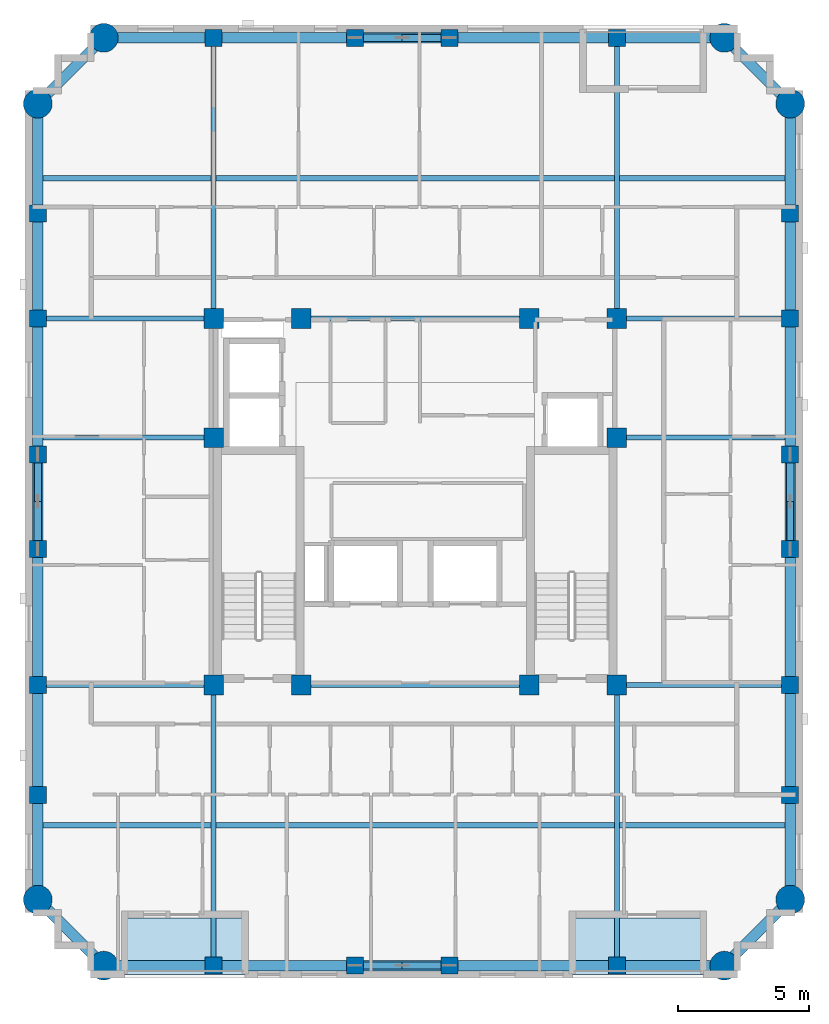
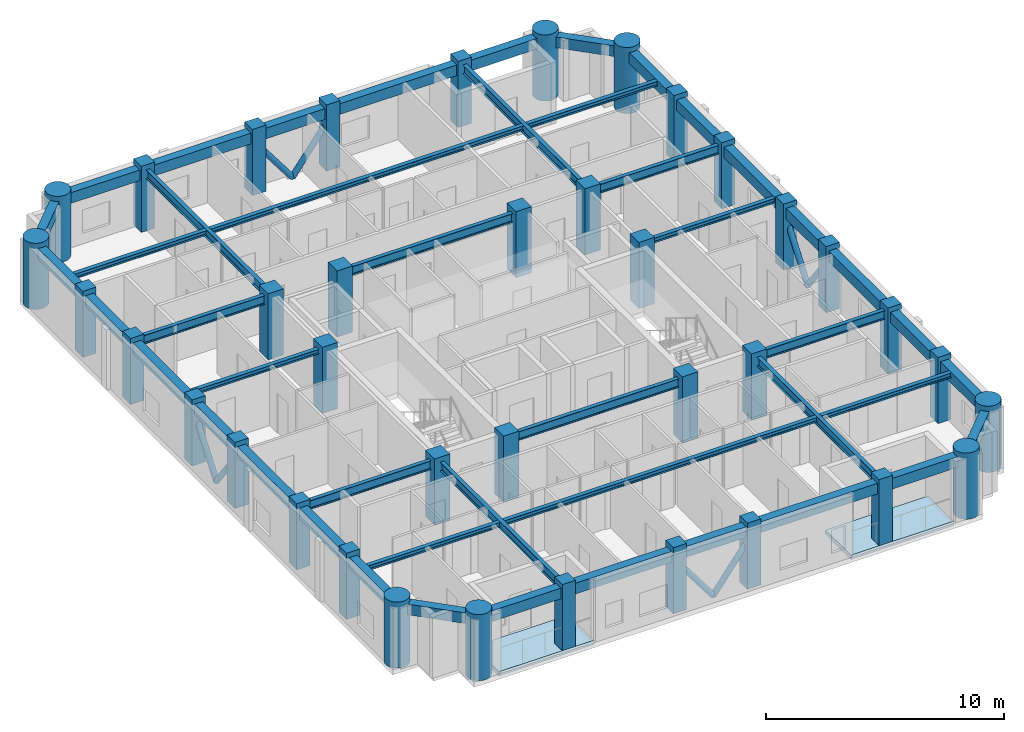
# One storey, part 1 of 11: 46 beams, 38 columns, 8 members, 2 slabs.
"""IFC4 building model written with IfcOpenShell, lengths in metres."""

from ifc_helpers import new_model, si_unit, derived_unit, direction, frame, origin, origin_2d, place, context, subcontext, project, spatial, polyline, rectangle, circle, hollow_circle, i_section, outline, extrude, material, layer, layer_set, material_profile, profile_set, type_object, element, save


model = new_model("IFC4")

# Units and contexts
model_context = context("Model", 3, precision=1e-05, world=origin(), true_north=direction((0.0, 1.0)))
body_context = subcontext(model_context, "Body", "Model", "MODEL_VIEW")
ifc_project = project(units=[si_unit("LENGTHUNIT", "METRE"), si_unit("AREAUNIT", "SQUARE_METRE"), si_unit("VOLUMEUNIT", "CUBIC_METRE"), si_unit("PLANEANGLEUNIT", "RADIAN"), si_unit("MASSUNIT", "GRAM", prefix="KILO"), derived_unit("THERMALTRANSMITTANCEUNIT", [(si_unit("MASSUNIT", "GRAM", prefix="KILO"), 1), (si_unit("TIMEUNIT", "SECOND"), -3), (si_unit("THERMODYNAMICTEMPERATUREUNIT", "KELVIN"), -1)])], contexts=[model_context])

# Site, building, storey
site_placement = place(None, origin())
site = spatial("IfcSite", under=ifc_project, at=site_placement, CompositionType="ELEMENT")
building_placement = place(site_placement, origin())
building = spatial("IfcBuilding", under=site, at=building_placement, Name="Korrvale Station Residences", CompositionType="ELEMENT")
storey_placement = place(building_placement, frame((0.0, 0.0, 224.10009765625)))
storey = spatial("IfcBuildingStorey", under=building, at=storey_placement, Name="L65", CompositionType="ELEMENT", Elevation=224.10009765625)

# Columns
ifc_material_1 = material(Name="Concrete C50/60", Category="concrete")
ifc_material_profile_1 = material_profile(ifc_material_1, rectangle(XDim=0.64990234375, YDim=0.64990234375, at=origin_2d()), Name="RC650x650")
ifc_profile_set_1 = profile_set([ifc_material_profile_1], Name="Concrete C50/60")
column_type_1 = type_object("IfcColumnType", Name="COL-C-RC650x650-C5060", PredefinedType="COLUMN", material=ifc_profile_set_1)
for number, where, z_axis, x_axis, name in (
    (1, (17.800048828125, 4.280029296875, 0.0), (0.0, 0.0, 1.0), (1.0, 0.0, 0.0), "L65 Bundled-Tube South Column 02"),
    (2, (23.199951171875, 4.280029296875, 0.0), (0.0, 0.0, 1.0), (1.0, 0.0, 0.0), "L65 Bundled-Tube South Column 03"),
    (3, (26.800048828125, 4.280029296875, 0.0), (0.0, 0.0, 1.0), (1.0, 0.0, 0.0), "L65 Bundled-Tube South Column 04"),
    (4, (33.199951171875, 4.280029296875, 0.0), (0.0, 0.0, 1.0), (1.0, 0.0, 0.0), "L65 Bundled-Tube South Column 05"),
    (5, (17.800048828125, 39.719970703125, 0.0), (0.0, 0.0, 1.0), (1.0, 0.0, 0.0), "L65 Bundled-Tube North Column 08"),
    (6, (23.199951171875, 39.719970703125, 0.0), (0.0, 0.0, 1.0), (1.0, 0.0, 0.0), "L65 Bundled-Tube North Column 09"),
    (7, (26.800048828125, 39.719970703125, 0.0), (0.0, 0.0, 1.0), (1.0, 0.0, 0.0), "L65 Bundled-Tube North Column 10"),
    (8, (33.199951171875, 39.719970703125, 0.0), (0.0, 0.0, 1.0), (1.0, 0.0, 0.0), "L65 Bundled-Tube North Column 11"),
    (9, (11.080078125, 10.800048828125, 0.0), (0.0, 0.0, 1.0), (1.0, 0.0, 0.0), "L65 Bundled-Tube West Column 14"),
    (10, (11.080078125, 15.0, 0.0), (0.0, 0.0, 1.0), (1.0, 0.0, 0.0), "L65 Bundled-Tube West Column 15"),
    (11, (11.080078125, 20.199951171875, 0.0), (0.0, 0.0, 1.0), (1.0, 0.0, 0.0), "L65 Bundled-Tube West Column 16"),
    (12, (11.080078125, 23.800048828125, 0.0), (0.0, 0.0, 1.0), (1.0, 0.0, 0.0), "L65 Bundled-Tube West Column 17"),
    (13, (11.080078125, 29.0, 0.0), (0.0, 0.0, 1.0), (1.0, 0.0, 0.0), "L65 Bundled-Tube West Column 18"),
    (14, (11.080078125, 33.0, 0.0), (0.0, 0.0, 1.0), (1.0, 0.0, 0.0), "L65 Bundled-Tube West Column 19"),
    (15, (39.820068359375, 10.800048828125, 0.0), (0.0, 0.0, 1.0), (1.0, 0.0, 0.0), "L65 Bundled-Tube East Column 22"),
    (16, (39.820068359375, 15.0, 0.0), (0.0, 0.0, 1.0), (1.0, 0.0, 0.0), "L65 Bundled-Tube East Column 23"),
    (17, (39.820068359375, 20.199951171875, 0.0), (0.0, 0.0, 1.0), (1.0, 0.0, 0.0), "L65 Bundled-Tube East Column 24"),
    (18, (39.820068359375, 23.800048828125, 0.0), (0.0, 0.0, 1.0), (1.0, 0.0, 0.0), "L65 Bundled-Tube East Column 25"),
    (19, (39.820068359375, 29.0, 0.0), (0.0, 0.0, 1.0), (1.0, 0.0, 0.0), "L65 Bundled-Tube East Column 26"),
    (20, (39.820068359375, 33.0, 0.0), (0.0, 0.0, 1.0), (1.0, 0.0, 0.0), "L65 Bundled-Tube East Column 27"),
):
    element("IfcColumn", number, at=place(storey_placement, frame(where, z_axis=z_axis, x_axis=x_axis)), inside=storey, type_object=column_type_1, Name=name, PredefinedType="COLUMN", context=body_context, shape_type="SweptSolid", body=[
        extrude(rectangle(XDim=0.64990234375, YDim=0.64990234375, at=origin_2d()), origin(), (0.0, 0.0, 1.0), 3.39990234375),
    ])
ifc_material_profile_2 = material_profile(ifc_material_1, rectangle(XDim=0.75, YDim=0.75, at=origin_2d()), Name="RC750x750")
ifc_profile_set_2 = profile_set([ifc_material_profile_2], Name="Concrete C50/60")
column_type_2 = type_object("IfcColumnType", Name="COL-C-RC750x750-C5060", PredefinedType="COLUMN", material=ifc_profile_set_2)
for number, where, z_axis, x_axis, name in (
    (21, (17.800048828125, 15.0, 0.0), (0.0, 0.0, 1.0), (1.0, 0.0, 0.0), "L65 Core Column 01"),
    (22, (21.14990234375, 15.0, 0.0), (0.0, 0.0, 1.0), (1.0, 0.0, 0.0), "L65 Core Column 02"),
    (23, (29.85009765625, 15.0, 0.0), (0.0, 0.0, 1.0), (1.0, 0.0, 0.0), "L65 Core Column 03"),
    (24, (33.199951171875, 15.0, 0.0), (0.0, 0.0, 1.0), (1.0, 0.0, 0.0), "L65 Core Column 04"),
    (25, (17.800048828125, 29.0, 0.0), (0.0, 0.0, 1.0), (1.0, 0.0, 0.0), "L65 Core Column 05"),
    (26, (21.14990234375, 29.0, 0.0), (0.0, 0.0, 1.0), (1.0, 0.0, 0.0), "L65 Core Column 06"),
    (27, (29.85009765625, 29.0, 0.0), (0.0, 0.0, 1.0), (1.0, 0.0, 0.0), "L65 Core Column 07"),
    (28, (33.199951171875, 29.0, 0.0), (0.0, 0.0, 1.0), (1.0, 0.0, 0.0), "L65 Core Column 08"),
    (29, (17.800048828125, 24.449951171875, 0.0), (0.0, 0.0, 1.0), (1.0, 0.0, 0.0), "L65 Core Column 09"),
    (30, (33.199951171875, 24.449951171875, 0.0), (0.0, 0.0, 1.0), (1.0, 0.0, 0.0), "L65 Core Column 10"),
):
    element("IfcColumn", number, at=place(storey_placement, frame(where, z_axis=z_axis, x_axis=x_axis)), inside=storey, type_object=column_type_2, Name=name, PredefinedType="COLUMN", context=body_context, shape_type="SweptSolid", body=[
        extrude(rectangle(XDim=0.75, YDim=0.75, at=origin_2d()), origin(), (0.0, 0.0, 1.0), 3.39990234375),
    ])
ifc_material_profile_3 = material_profile(ifc_material_1, circle(Radius=0.550048828125, at=origin_2d()), Name="RCC1100")
ifc_profile_set_3 = profile_set([ifc_material_profile_3], Name="Concrete C50/60")
column_type_3 = type_object("IfcColumnType", Name="COL-C-RCC1100-C5060", PredefinedType="COLUMN", material=ifc_profile_set_3)
for number, where, z_axis, x_axis, name in (
    (31, (13.60009765625, 4.280029296875, 0.0), (0.0, 0.0, 1.0), (1.0, 0.0, 0.0), "L65 Bundled-Tube South Column 01"),
    (32, (37.300048828125, 4.280029296875, 0.0), (0.0, 0.0, 1.0), (1.0, 0.0, 0.0), "L65 Bundled-Tube South Column 06"),
    (33, (13.60009765625, 39.719970703125, 0.0), (0.0, 0.0, 1.0), (1.0, 0.0, 0.0), "L65 Bundled-Tube North Column 07"),
    (34, (37.300048828125, 39.719970703125, 0.0), (0.0, 0.0, 1.0), (1.0, 0.0, 0.0), "L65 Bundled-Tube North Column 12"),
    (35, (11.080078125, 6.800048828125, 0.0), (0.0, 0.0, 1.0), (1.0, 0.0, 0.0), "L65 Bundled-Tube West Column 13"),
    (36, (11.080078125, 37.199951171875, 0.0), (0.0, 0.0, 1.0), (1.0, 0.0, 0.0), "L65 Bundled-Tube West Column 20"),
    (37, (39.820068359375, 6.800048828125, 0.0), (0.0, 0.0, 1.0), (1.0, 0.0, 0.0), "L65 Bundled-Tube East Column 21"),
    (38, (39.820068359375, 37.199951171875, 0.0), (0.0, 0.0, 1.0), (1.0, 0.0, 0.0), "L65 Bundled-Tube East Column 28"),
):
    element("IfcColumn", number, at=place(storey_placement, frame(where, z_axis=z_axis, x_axis=x_axis)), inside=storey, type_object=column_type_3, Name=name, PredefinedType="COLUMN", context=body_context, shape_type="SweptSolid", body=[
        extrude(circle(Radius=0.550048828125, at=origin_2d()), origin(), (0.0, 0.0, 1.0), 3.39990234375),
    ])

# Beams
ifc_material_2 = material(Name="Steel S355", Category="steel")
ifc_material_profile_4 = material_profile(ifc_material_2, i_section(OverallWidth=0.18994140625, OverallDepth=0.45703125, WebThickness=0.009033203125, FlangeThickness=0.014404296875, FilletRadius=0.01611328125, at=origin_2d()), Name="W460x74")
ifc_profile_set_4 = profile_set([ifc_material_profile_4], Name="Steel S355")
beam_type_1 = type_object("IfcBeamType", Name="BM-BM-W460x74-S355", PredefinedType="BEAM", material=ifc_profile_set_4)
for number, where, z_axis, x_axis, name in (
    (39, (17.800048828125, 4.280029296875, 2.911376953125), (0.0, 1.0, 0.0), (-1.0, 0.0, 0.0), "L65 Bundled-Tube Web Girder 01"),
    (40, (33.199951171875, 4.280029296875, 2.911376953125), (0.0, 1.0, 0.0), (-1.0, 0.0, 0.0), "L65 Bundled-Tube Web Girder 02"),
    (41, (17.800048828125, 29.0, 2.911376953125), (0.0, 1.0, 0.0), (-1.0, 0.0, 0.0), "L65 Bundled-Tube Web Girder 03"),
    (42, (33.199951171875, 29.0, 2.911376953125), (0.0, 1.0, 0.0), (-1.0, 0.0, 0.0), "L65 Bundled-Tube Web Girder 04"),
):
    element("IfcBeam", number, at=place(storey_placement, frame(where, z_axis=z_axis, x_axis=x_axis)), inside=storey, type_object=beam_type_1, Name=name, PredefinedType="BEAM", context=body_context, shape_type="SweptSolid", body=[
        extrude(i_section(OverallWidth=0.18994140625, OverallDepth=0.45703125, WebThickness=0.009033203125, FlangeThickness=0.014404296875, FilletRadius=0.01611328125, at=origin_2d()), origin(), (0.0, 0.0, 1.0), 10.719970703125),
    ])
beam_1_placement = place(storey_placement, frame((11.080078125, 15.0, 2.911376953125), z_axis=(1.0, 0.0, 0.0), x_axis=(0.0, 1.0, 0.0)))
element("IfcBeam", 43, at=beam_1_placement, inside=storey, type_object=beam_type_1, Name="L65 Bundled-Tube Web Girder 05", PredefinedType="BEAM", context=body_context, shape_type="SweptSolid", body=[
    extrude(i_section(OverallWidth=0.18994140625, OverallDepth=0.45703125, WebThickness=0.009033203125, FlangeThickness=0.014404296875, FilletRadius=0.01611328125, at=origin_2d()), origin(), (0.0, 0.0, 1.0), 6.719970703125),
])
beam_2_placement = place(storey_placement, frame((33.199951171875, 15.0, 2.911376953125), z_axis=(1.0, 0.0, 0.0), x_axis=(0.0, 1.0, 0.0)))
element("IfcBeam", 44, at=beam_2_placement, inside=storey, type_object=beam_type_1, Name="L65 Bundled-Tube Web Girder 06", PredefinedType="BEAM", context=body_context, shape_type="SweptSolid", body=[
    extrude(i_section(OverallWidth=0.18994140625, OverallDepth=0.45703125, WebThickness=0.009033203125, FlangeThickness=0.014404296875, FilletRadius=0.01611328125, at=origin_2d()), origin(), (0.0, 0.0, 1.0), 6.6201171875),
])
beam_3_placement = place(storey_placement, frame((11.080078125, 29.0, 2.911376953125), z_axis=(1.0, 0.0, 0.0), x_axis=(0.0, 1.0, 0.0)))
element("IfcBeam", 45, at=beam_3_placement, inside=storey, type_object=beam_type_1, Name="L65 Bundled-Tube Web Girder 07", PredefinedType="BEAM", context=body_context, shape_type="SweptSolid", body=[
    extrude(i_section(OverallWidth=0.18994140625, OverallDepth=0.45703125, WebThickness=0.009033203125, FlangeThickness=0.014404296875, FilletRadius=0.01611328125, at=origin_2d()), origin(), (0.0, 0.0, 1.0), 6.719970703125),
])
beam_4_placement = place(storey_placement, frame((33.199951171875, 29.0, 2.911376953125), z_axis=(1.0, 0.0, 0.0), x_axis=(0.0, 1.0, 0.0)))
element("IfcBeam", 46, at=beam_4_placement, inside=storey, type_object=beam_type_1, Name="L65 Bundled-Tube Web Girder 08", PredefinedType="BEAM", context=body_context, shape_type="SweptSolid", body=[
    extrude(i_section(OverallWidth=0.18994140625, OverallDepth=0.45703125, WebThickness=0.009033203125, FlangeThickness=0.014404296875, FilletRadius=0.01611328125, at=origin_2d()), origin(), (0.0, 0.0, 1.0), 6.6201171875),
])
for number, where, z_axis, x_axis, name in (
    (47, (21.14990234375, 15.0, 2.911376953125), (1.0, 0.0, 0.0), (0.0, 1.0, 0.0), "L65 Bundled-Tube Web Girder 09"),
    (48, (21.14990234375, 29.0, 2.911376953125), (1.0, 0.0, 0.0), (0.0, 1.0, 0.0), "L65 Bundled-Tube Web Girder 10"),
):
    element("IfcBeam", number, at=place(storey_placement, frame(where, z_axis=z_axis, x_axis=x_axis)), inside=storey, type_object=beam_type_1, Name=name, PredefinedType="BEAM", context=body_context, shape_type="SweptSolid", body=[
        extrude(i_section(OverallWidth=0.18994140625, OverallDepth=0.45703125, WebThickness=0.009033203125, FlangeThickness=0.014404296875, FilletRadius=0.01611328125, at=origin_2d()), origin(), (0.0, 0.0, 1.0), 8.7001953125),
    ])
ifc_material_profile_5 = material_profile(ifc_material_2, i_section(OverallWidth=0.201904296875, OverallDepth=0.2470703125, WebThickness=0.00732421875, FlangeThickness=0.010986328125, FilletRadius=0.012939453125, at=origin_2d()), Name="W250x49")
ifc_profile_set_5 = profile_set([ifc_material_profile_5], Name="Steel S355")
beam_type_2 = type_object("IfcBeamType", Name="BM-JST-W250x49-S355", PredefinedType="JOIST", material=ifc_profile_set_5)
beam_5_placement = place(storey_placement, frame((11.280029296875, 9.639892578125, 3.016357421875), z_axis=(1.0, 0.0, 0.0), x_axis=(0.0, 1.0, 0.0)))
element("IfcBeam", 49, at=beam_5_placement, inside=storey, type_object=beam_type_2, Name="L65 Floor Framing Joist 01", PredefinedType="JOIST", context=body_context, shape_type="SweptSolid", body=[
    extrude(i_section(OverallWidth=0.201904296875, OverallDepth=0.2470703125, WebThickness=0.00732421875, FlangeThickness=0.010986328125, FilletRadius=0.012939453125, at=origin_2d()), origin(), (0.0, 0.0, 1.0), 6.425048828125),
])
beam_6_placement = place(storey_placement, frame((17.89501953125, 9.639892578125, 3.016357421875), z_axis=(1.0, 0.0, 0.0), x_axis=(0.0, 1.0, 0.0)))
element("IfcBeam", 50, at=beam_6_placement, inside=storey, type_object=beam_type_2, Name="L65 Floor Framing Joist 02", PredefinedType="JOIST", context=body_context, shape_type="SweptSolid", body=[
    extrude(i_section(OverallWidth=0.201904296875, OverallDepth=0.2470703125, WebThickness=0.00732421875, FlangeThickness=0.010986328125, FilletRadius=0.012939453125, at=origin_2d()), origin(), (0.0, 0.0, 1.0), 15.2099609375),
])
beam_7_placement = place(storey_placement, frame((33.294921875, 9.639892578125, 3.016357421875), z_axis=(1.0, 0.0, 0.0), x_axis=(0.0, 1.0, 0.0)))
element("IfcBeam", 51, at=beam_7_placement, inside=storey, type_object=beam_type_2, Name="L65 Floor Framing Joist 03", PredefinedType="JOIST", context=body_context, shape_type="SweptSolid", body=[
    extrude(i_section(OverallWidth=0.201904296875, OverallDepth=0.2470703125, WebThickness=0.00732421875, FlangeThickness=0.010986328125, FilletRadius=0.012939453125, at=origin_2d()), origin(), (0.0, 0.0, 1.0), 6.3251953125),
])
beam_8_placement = place(storey_placement, frame((11.280029296875, 34.360107421875, 3.016357421875), z_axis=(1.0, 0.0, 0.0), x_axis=(0.0, 1.0, 0.0)))
element("IfcBeam", 52, at=beam_8_placement, inside=storey, type_object=beam_type_2, Name="L65 Floor Framing Joist 04", PredefinedType="JOIST", context=body_context, shape_type="SweptSolid", body=[
    extrude(i_section(OverallWidth=0.201904296875, OverallDepth=0.2470703125, WebThickness=0.00732421875, FlangeThickness=0.010986328125, FilletRadius=0.012939453125, at=origin_2d()), origin(), (0.0, 0.0, 1.0), 6.425048828125),
])
beam_9_placement = place(storey_placement, frame((17.89501953125, 34.360107421875, 3.016357421875), z_axis=(1.0, 0.0, 0.0), x_axis=(0.0, 1.0, 0.0)))
element("IfcBeam", 53, at=beam_9_placement, inside=storey, type_object=beam_type_2, Name="L65 Floor Framing Joist 05", PredefinedType="JOIST", context=body_context, shape_type="SweptSolid", body=[
    extrude(i_section(OverallWidth=0.201904296875, OverallDepth=0.2470703125, WebThickness=0.00732421875, FlangeThickness=0.010986328125, FilletRadius=0.012939453125, at=origin_2d()), origin(), (0.0, 0.0, 1.0), 15.2099609375),
])
beam_10_placement = place(storey_placement, frame((33.294921875, 34.360107421875, 3.016357421875), z_axis=(1.0, 0.0, 0.0), x_axis=(0.0, 1.0, 0.0)))
element("IfcBeam", 54, at=beam_10_placement, inside=storey, type_object=beam_type_2, Name="L65 Floor Framing Joist 06", PredefinedType="JOIST", context=body_context, shape_type="SweptSolid", body=[
    extrude(i_section(OverallWidth=0.201904296875, OverallDepth=0.2470703125, WebThickness=0.00732421875, FlangeThickness=0.010986328125, FilletRadius=0.012939453125, at=origin_2d()), origin(), (0.0, 0.0, 1.0), 6.3251953125),
])
beam_11_placement = place(storey_placement, frame((33.199951171875, 24.449951171875, 3.016357421875), z_axis=(1.0, 0.0, 0.0), x_axis=(0.0, 1.0, 0.0)))
element("IfcBeam", 55, at=beam_11_placement, inside=storey, type_object=beam_type_2, Name="L65 Floor Framing Joist 07", PredefinedType="JOIST", context=body_context, shape_type="SweptSolid", body=[
    extrude(i_section(OverallWidth=0.201904296875, OverallDepth=0.2470703125, WebThickness=0.00732421875, FlangeThickness=0.010986328125, FilletRadius=0.012939453125, at=origin_2d()), origin(), (0.0, 0.0, 1.0), 6.420166015625),
])
beam_12_placement = place(storey_placement, frame((11.280029296875, 24.449951171875, 3.016357421875), z_axis=(1.0, 0.0, 0.0), x_axis=(0.0, 1.0, 0.0)))
element("IfcBeam", 56, at=beam_12_placement, inside=storey, type_object=beam_type_2, Name="L65 Floor Framing Joist 08", PredefinedType="JOIST", context=body_context, shape_type="SweptSolid", body=[
    extrude(i_section(OverallWidth=0.201904296875, OverallDepth=0.2470703125, WebThickness=0.00732421875, FlangeThickness=0.010986328125, FilletRadius=0.012939453125, at=origin_2d()), origin(), (0.0, 0.0, 1.0), 6.52001953125),
])
ifc_material_profile_6 = material_profile(ifc_material_1, rectangle(XDim=0.39990234375, YDim=0.550048828125, at=origin_2d()), Name="RCB400x550")
ifc_profile_set_6 = profile_set([ifc_material_profile_6], Name="Concrete C50/60")
beam_type_3 = type_object("IfcBeamType", Name="BM-SPB-RCB400x550-C5060", PredefinedType="SPANDREL", material=ifc_profile_set_6)
beam_13_placement = place(storey_placement, frame((13.60009765625, 4.280029296875, 2.864990234375), z_axis=(1.0, 0.0, 0.0), x_axis=(0.0, 1.0, 0.0)))
element("IfcBeam", 57, at=beam_13_placement, inside=storey, type_object=beam_type_3, Name="L65 South Tube Spandrel 01", PredefinedType="SPANDREL", context=body_context, shape_type="SweptSolid", body=[
    extrude(rectangle(XDim=0.39990234375, YDim=0.550048828125, at=origin_2d()), origin(), (0.0, 0.0, 1.0), 4.199951171875),
])
beam_14_placement = place(storey_placement, frame((17.800048828125, 4.280029296875, 2.864990234375), z_axis=(1.0, 0.0, 0.0), x_axis=(0.0, 1.0, 0.0)))
element("IfcBeam", 58, at=beam_14_placement, inside=storey, type_object=beam_type_3, Name="L65 South Tube Spandrel 02", PredefinedType="SPANDREL", context=body_context, shape_type="SweptSolid", body=[
    extrude(rectangle(XDim=0.39990234375, YDim=0.550048828125, at=origin_2d()), origin(), (0.0, 0.0, 1.0), 5.39990234375),
])
beam_15_placement = place(storey_placement, frame((23.199951171875, 4.280029296875, 2.864990234375), z_axis=(1.0, 0.0, 0.0), x_axis=(0.0, 1.0, 0.0)))
element("IfcBeam", 59, at=beam_15_placement, inside=storey, type_object=beam_type_3, Name="L65 South Tube Spandrel 03", PredefinedType="SPANDREL", context=body_context, shape_type="SweptSolid", body=[
    extrude(rectangle(XDim=0.39990234375, YDim=0.550048828125, at=origin_2d()), origin(), (0.0, 0.0, 1.0), 3.60009765625),
])
beam_16_placement = place(storey_placement, frame((26.800048828125, 4.280029296875, 2.864990234375), z_axis=(1.0, 0.0, 0.0), x_axis=(0.0, 1.0, 0.0)))
element("IfcBeam", 60, at=beam_16_placement, inside=storey, type_object=beam_type_3, Name="L65 South Tube Spandrel 04", PredefinedType="SPANDREL", context=body_context, shape_type="SweptSolid", body=[
    extrude(rectangle(XDim=0.39990234375, YDim=0.550048828125, at=origin_2d()), origin(), (0.0, 0.0, 1.0), 6.39990234375),
])
beam_17_placement = place(storey_placement, frame((33.199951171875, 4.280029296875, 2.864990234375), z_axis=(1.0, 0.0, 0.0), x_axis=(0.0, 1.0, 0.0)))
element("IfcBeam", 61, at=beam_17_placement, inside=storey, type_object=beam_type_3, Name="L65 South Tube Spandrel 05", PredefinedType="SPANDREL", context=body_context, shape_type="SweptSolid", body=[
    extrude(rectangle(XDim=0.39990234375, YDim=0.550048828125, at=origin_2d()), origin(), (0.0, 0.0, 1.0), 4.10009765625),
])
beam_18_placement = place(storey_placement, frame((13.60009765625, 39.719970703125, 2.864990234375), z_axis=(1.0, 0.0, 0.0), x_axis=(0.0, 1.0, 0.0)))
element("IfcBeam", 62, at=beam_18_placement, inside=storey, type_object=beam_type_3, Name="L65 North Tube Spandrel 06", PredefinedType="SPANDREL", context=body_context, shape_type="SweptSolid", body=[
    extrude(rectangle(XDim=0.39990234375, YDim=0.550048828125, at=origin_2d()), origin(), (0.0, 0.0, 1.0), 4.199951171875),
])
beam_19_placement = place(storey_placement, frame((17.800048828125, 39.719970703125, 2.864990234375), z_axis=(1.0, 0.0, 0.0), x_axis=(0.0, 1.0, 0.0)))
element("IfcBeam", 63, at=beam_19_placement, inside=storey, type_object=beam_type_3, Name="L65 North Tube Spandrel 07", PredefinedType="SPANDREL", context=body_context, shape_type="SweptSolid", body=[
    extrude(rectangle(XDim=0.39990234375, YDim=0.550048828125, at=origin_2d()), origin(), (0.0, 0.0, 1.0), 5.39990234375),
])
beam_20_placement = place(storey_placement, frame((23.199951171875, 39.719970703125, 2.864990234375), z_axis=(1.0, 0.0, 0.0), x_axis=(0.0, 1.0, 0.0)))
element("IfcBeam", 64, at=beam_20_placement, inside=storey, type_object=beam_type_3, Name="L65 North Tube Spandrel 08", PredefinedType="SPANDREL", context=body_context, shape_type="SweptSolid", body=[
    extrude(rectangle(XDim=0.39990234375, YDim=0.550048828125, at=origin_2d()), origin(), (0.0, 0.0, 1.0), 3.60009765625),
])
beam_21_placement = place(storey_placement, frame((26.800048828125, 39.719970703125, 2.864990234375), z_axis=(1.0, 0.0, 0.0), x_axis=(0.0, 1.0, 0.0)))
element("IfcBeam", 65, at=beam_21_placement, inside=storey, type_object=beam_type_3, Name="L65 North Tube Spandrel 09", PredefinedType="SPANDREL", context=body_context, shape_type="SweptSolid", body=[
    extrude(rectangle(XDim=0.39990234375, YDim=0.550048828125, at=origin_2d()), origin(), (0.0, 0.0, 1.0), 6.39990234375),
])
beam_22_placement = place(storey_placement, frame((33.199951171875, 39.719970703125, 2.864990234375), z_axis=(1.0, 0.0, 0.0), x_axis=(0.0, 1.0, 0.0)))
element("IfcBeam", 66, at=beam_22_placement, inside=storey, type_object=beam_type_3, Name="L65 North Tube Spandrel 10", PredefinedType="SPANDREL", context=body_context, shape_type="SweptSolid", body=[
    extrude(rectangle(XDim=0.39990234375, YDim=0.550048828125, at=origin_2d()), origin(), (0.0, 0.0, 1.0), 4.10009765625),
])
beam_23_placement = place(storey_placement, frame((11.080078125, 6.800048828125, 2.864990234375), z_axis=(0.0, 1.0, 0.0), x_axis=(-1.0, 0.0, 0.0)))
element("IfcBeam", 67, at=beam_23_placement, inside=storey, type_object=beam_type_3, Name="L65 West Tube Spandrel 11", PredefinedType="SPANDREL", context=body_context, shape_type="SweptSolid", body=[
    extrude(rectangle(XDim=0.39990234375, YDim=0.550048828125, at=origin_2d()), origin(), (0.0, 0.0, 1.0), 4.0),
])
beam_24_placement = place(storey_placement, frame((11.080078125, 10.800048828125, 2.864990234375), z_axis=(0.0, 1.0, 0.0), x_axis=(-1.0, 0.0, 0.0)))
element("IfcBeam", 68, at=beam_24_placement, inside=storey, type_object=beam_type_3, Name="L65 West Tube Spandrel 12", PredefinedType="SPANDREL", context=body_context, shape_type="SweptSolid", body=[
    extrude(rectangle(XDim=0.39990234375, YDim=0.550048828125, at=origin_2d()), origin(), (0.0, 0.0, 1.0), 4.199951171875),
])
beam_25_placement = place(storey_placement, frame((11.080078125, 15.0, 2.864990234375), z_axis=(0.0, 1.0, 0.0), x_axis=(-1.0, 0.0, 0.0)))
element("IfcBeam", 69, at=beam_25_placement, inside=storey, type_object=beam_type_3, Name="L65 West Tube Spandrel 13", PredefinedType="SPANDREL", context=body_context, shape_type="SweptSolid", body=[
    extrude(rectangle(XDim=0.39990234375, YDim=0.550048828125, at=origin_2d()), origin(), (0.0, 0.0, 1.0), 5.199951171875),
])
beam_26_placement = place(storey_placement, frame((11.080078125, 20.199951171875, 2.864990234375), z_axis=(0.0, 1.0, 0.0), x_axis=(-1.0, 0.0, 0.0)))
element("IfcBeam", 70, at=beam_26_placement, inside=storey, type_object=beam_type_3, Name="L65 West Tube Spandrel 14", PredefinedType="SPANDREL", context=body_context, shape_type="SweptSolid", body=[
    extrude(rectangle(XDim=0.39990234375, YDim=0.550048828125, at=origin_2d()), origin(), (0.0, 0.0, 1.0), 3.60009765625),
])
beam_27_placement = place(storey_placement, frame((11.080078125, 23.800048828125, 2.864990234375), z_axis=(0.0, 1.0, 0.0), x_axis=(-1.0, 0.0, 0.0)))
element("IfcBeam", 71, at=beam_27_placement, inside=storey, type_object=beam_type_3, Name="L65 West Tube Spandrel 15", PredefinedType="SPANDREL", context=body_context, shape_type="SweptSolid", body=[
    extrude(rectangle(XDim=0.39990234375, YDim=0.550048828125, at=origin_2d()), origin(), (0.0, 0.0, 1.0), 5.199951171875),
])
beam_28_placement = place(storey_placement, frame((11.080078125, 29.0, 2.864990234375), z_axis=(0.0, 1.0, 0.0), x_axis=(-1.0, 0.0, 0.0)))
element("IfcBeam", 72, at=beam_28_placement, inside=storey, type_object=beam_type_3, Name="L65 West Tube Spandrel 16", PredefinedType="SPANDREL", context=body_context, shape_type="SweptSolid", body=[
    extrude(rectangle(XDim=0.39990234375, YDim=0.550048828125, at=origin_2d()), origin(), (0.0, 0.0, 1.0), 4.0),
])
beam_29_placement = place(storey_placement, frame((11.080078125, 33.0, 2.864990234375), z_axis=(0.0, 1.0, 0.0), x_axis=(-1.0, 0.0, 0.0)))
element("IfcBeam", 73, at=beam_29_placement, inside=storey, type_object=beam_type_3, Name="L65 West Tube Spandrel 17", PredefinedType="SPANDREL", context=body_context, shape_type="SweptSolid", body=[
    extrude(rectangle(XDim=0.39990234375, YDim=0.550048828125, at=origin_2d()), origin(), (0.0, 0.0, 1.0), 4.199951171875),
])
beam_30_placement = place(storey_placement, frame((39.820068359375, 6.800048828125, 2.864990234375), z_axis=(0.0, 1.0, 0.0), x_axis=(-1.0, 0.0, 0.0)))
element("IfcBeam", 74, at=beam_30_placement, inside=storey, type_object=beam_type_3, Name="L65 East Tube Spandrel 18", PredefinedType="SPANDREL", context=body_context, shape_type="SweptSolid", body=[
    extrude(rectangle(XDim=0.39990234375, YDim=0.550048828125, at=origin_2d()), origin(), (0.0, 0.0, 1.0), 4.0),
])
beam_31_placement = place(storey_placement, frame((39.820068359375, 10.800048828125, 2.864990234375), z_axis=(0.0, 1.0, 0.0), x_axis=(-1.0, 0.0, 0.0)))
element("IfcBeam", 75, at=beam_31_placement, inside=storey, type_object=beam_type_3, Name="L65 East Tube Spandrel 19", PredefinedType="SPANDREL", context=body_context, shape_type="SweptSolid", body=[
    extrude(rectangle(XDim=0.39990234375, YDim=0.550048828125, at=origin_2d()), origin(), (0.0, 0.0, 1.0), 4.199951171875),
])
beam_32_placement = place(storey_placement, frame((39.820068359375, 15.0, 2.864990234375), z_axis=(0.0, 1.0, 0.0), x_axis=(-1.0, 0.0, 0.0)))
element("IfcBeam", 76, at=beam_32_placement, inside=storey, type_object=beam_type_3, Name="L65 East Tube Spandrel 20", PredefinedType="SPANDREL", context=body_context, shape_type="SweptSolid", body=[
    extrude(rectangle(XDim=0.39990234375, YDim=0.550048828125, at=origin_2d()), origin(), (0.0, 0.0, 1.0), 5.199951171875),
])
beam_33_placement = place(storey_placement, frame((39.820068359375, 20.199951171875, 2.864990234375), z_axis=(0.0, 1.0, 0.0), x_axis=(-1.0, 0.0, 0.0)))
element("IfcBeam", 77, at=beam_33_placement, inside=storey, type_object=beam_type_3, Name="L65 East Tube Spandrel 21", PredefinedType="SPANDREL", context=body_context, shape_type="SweptSolid", body=[
    extrude(rectangle(XDim=0.39990234375, YDim=0.550048828125, at=origin_2d()), origin(), (0.0, 0.0, 1.0), 3.60009765625),
])
beam_34_placement = place(storey_placement, frame((39.820068359375, 23.800048828125, 2.864990234375), z_axis=(0.0, 1.0, 0.0), x_axis=(-1.0, 0.0, 0.0)))
element("IfcBeam", 78, at=beam_34_placement, inside=storey, type_object=beam_type_3, Name="L65 East Tube Spandrel 22", PredefinedType="SPANDREL", context=body_context, shape_type="SweptSolid", body=[
    extrude(rectangle(XDim=0.39990234375, YDim=0.550048828125, at=origin_2d()), origin(), (0.0, 0.0, 1.0), 5.199951171875),
])
beam_35_placement = place(storey_placement, frame((39.820068359375, 29.0, 2.864990234375), z_axis=(0.0, 1.0, 0.0), x_axis=(-1.0, 0.0, 0.0)))
element("IfcBeam", 79, at=beam_35_placement, inside=storey, type_object=beam_type_3, Name="L65 East Tube Spandrel 23", PredefinedType="SPANDREL", context=body_context, shape_type="SweptSolid", body=[
    extrude(rectangle(XDim=0.39990234375, YDim=0.550048828125, at=origin_2d()), origin(), (0.0, 0.0, 1.0), 4.0),
])
beam_36_placement = place(storey_placement, frame((39.820068359375, 33.0, 2.864990234375), z_axis=(0.0, 1.0, 0.0), x_axis=(-1.0, 0.0, 0.0)))
element("IfcBeam", 80, at=beam_36_placement, inside=storey, type_object=beam_type_3, Name="L65 East Tube Spandrel 24", PredefinedType="SPANDREL", context=body_context, shape_type="SweptSolid", body=[
    extrude(rectangle(XDim=0.39990234375, YDim=0.550048828125, at=origin_2d()), origin(), (0.0, 0.0, 1.0), 4.199951171875),
])
for number, where, z_axis, x_axis, name in (
    (81, (13.60009765625, 4.280029296875, 2.864990234375), (-0.707106781187, 0.707106781187, 0.0), (-0.707106781187, -0.707106781187, 0.0), "L65 Serrated Corner Spandrel 25"),
    (82, (37.300048828125, 4.280029296875, 2.864990234375), (0.707106781187, 0.707106781187, 0.0), (-0.707106781187, 0.707106781187, 0.0), "L65 Serrated Corner Spandrel 26"),
    (83, (37.300048828125, 39.719970703125, 2.864990234375), (0.707106781187, -0.707106781187, 0.0), (0.707106781187, 0.707106781187, 0.0), "L65 Serrated Corner Spandrel 27"),
    (84, (13.60009765625, 39.719970703125, 2.864990234375), (-0.707106781187, -0.707106781187, 0.0), (0.707106781187, -0.707106781187, 0.0), "L65 Serrated Corner Spandrel 28"),
):
    element("IfcBeam", number, at=place(storey_placement, frame(where, z_axis=z_axis, x_axis=x_axis)), inside=storey, type_object=beam_type_3, Name=name, PredefinedType="SPANDREL", context=body_context, shape_type="SweptSolid", body=[
        extrude(rectangle(XDim=0.39990234375, YDim=0.550048828125, at=origin_2d()), origin(), (0.0, 0.0, 1.0), 3.56396484375),
    ])

# Members
ifc_material_profile_7 = material_profile(ifc_material_2, hollow_circle(Radius=0.136474609375, WallThickness=0.015869140625, at=origin_2d()), Name="HSS273x16")
ifc_profile_set_7 = profile_set([ifc_material_profile_7], Name="Steel S355")
member_type = type_object("IfcMemberType", Name="MBR-BR-HSS273x16", PredefinedType="BRACE", material=ifc_profile_set_7)
for number, where, z_axis, x_axis, name in (
    (85, (25.0, 4.280029296875, 0.02001953125), (-0.601630735092, 0.0, 0.798774347731), (0.0, -1.0, 0.0), "L65 S Perimeter Tube Wind Brace 1"),
    (86, (25.0, 4.280029296875, 0.02001953125), (0.601630735092, 0.0, 0.798774347731), (0.0, 1.0, 0.0), "L65 S Perimeter Tube Wind Brace 2"),
    (87, (25.0, 39.719970703125, 0.02001953125), (-0.601630735092, 0.0, 0.798774347731), (0.0, -1.0, 0.0), "L65 N Perimeter Tube Wind Brace 1"),
    (88, (25.0, 39.719970703125, 0.02001953125), (0.601630735092, 0.0, 0.798774347731), (0.0, 1.0, 0.0), "L65 N Perimeter Tube Wind Brace 2"),
    (89, (11.080078125, 22.0, 0.02001953125), (0.0, -0.601630735092, 0.798774347731), (1.0, 0.0, 0.0), "L65 W Perimeter Tube Wind Brace 1"),
    (90, (11.080078125, 22.0, 0.02001953125), (0.0, 0.601630735092, 0.798774347731), (-1.0, 0.0, 0.0), "L65 W Perimeter Tube Wind Brace 2"),
    (91, (39.820068359375, 22.0, 0.02001953125), (0.0, -0.601630735092, 0.798774347731), (1.0, 0.0, 0.0), "L65 E Perimeter Tube Wind Brace 1"),
    (92, (39.820068359375, 22.0, 0.02001953125), (0.0, 0.601630735092, 0.798774347731), (-1.0, 0.0, 0.0), "L65 E Perimeter Tube Wind Brace 2"),
):
    element("IfcMember", number, at=place(storey_placement, frame(where, z_axis=z_axis, x_axis=x_axis)), inside=storey, type_object=member_type, Name=name, PredefinedType="BRACE", context=body_context, shape_type="SweptSolid", body=[
        extrude(hollow_circle(Radius=0.136474609375, WallThickness=0.015869140625, at=origin_2d()), origin(), (0.0, 0.0, 1.0), 2.991943359375),
    ])

# Slabs
ifc_layer = layer(ifc_material_1, 0.219970703125, Name="Concrete C50/60")
ifc_layer_set = layer_set([ifc_layer], Name="Concrete C50/60")
slab_type = type_object("IfcSlabType", Name="SLB-BAL-220", PredefinedType="FLOOR", material=ifc_layer_set)
slab_1_placement = place(storey_placement, frame((0.0, 0.0, -0.22021484375)))
element("IfcSlab", 93, at=slab_1_placement, inside=storey, type_object=slab_type, Name="L65 Recessed Loggia Balcony Slab BAL-L65-S1", PredefinedType="FLOOR", context=body_context, shape_type="SweptSolid", body=[
    extrude(outline(polyline([(14.39990234375, 3.949951171875), (19.0, 3.949951171875), (19.0, 6.10009765625), (14.39990234375, 6.10009765625), (14.39990234375, 3.949951171875)])), origin(), (0.0, 0.0, 1.0), 0.22021484375),
])
slab_2_placement = place(storey_placement, frame((0.0, 0.0, -0.22021484375)))
element("IfcSlab", 94, at=slab_2_placement, inside=storey, type_object=slab_type, Name="L65 Recessed Loggia Balcony Slab BAL-L65-S2", PredefinedType="FLOOR", context=body_context, shape_type="SweptSolid", body=[
    extrude(outline(polyline([(31.5, 3.949951171875), (36.5, 3.949951171875), (36.5, 6.10009765625), (31.5, 6.10009765625), (31.5, 3.949951171875)])), origin(), (0.0, 0.0, 1.0), 0.22021484375),
])

save(model, "model.ifc")
